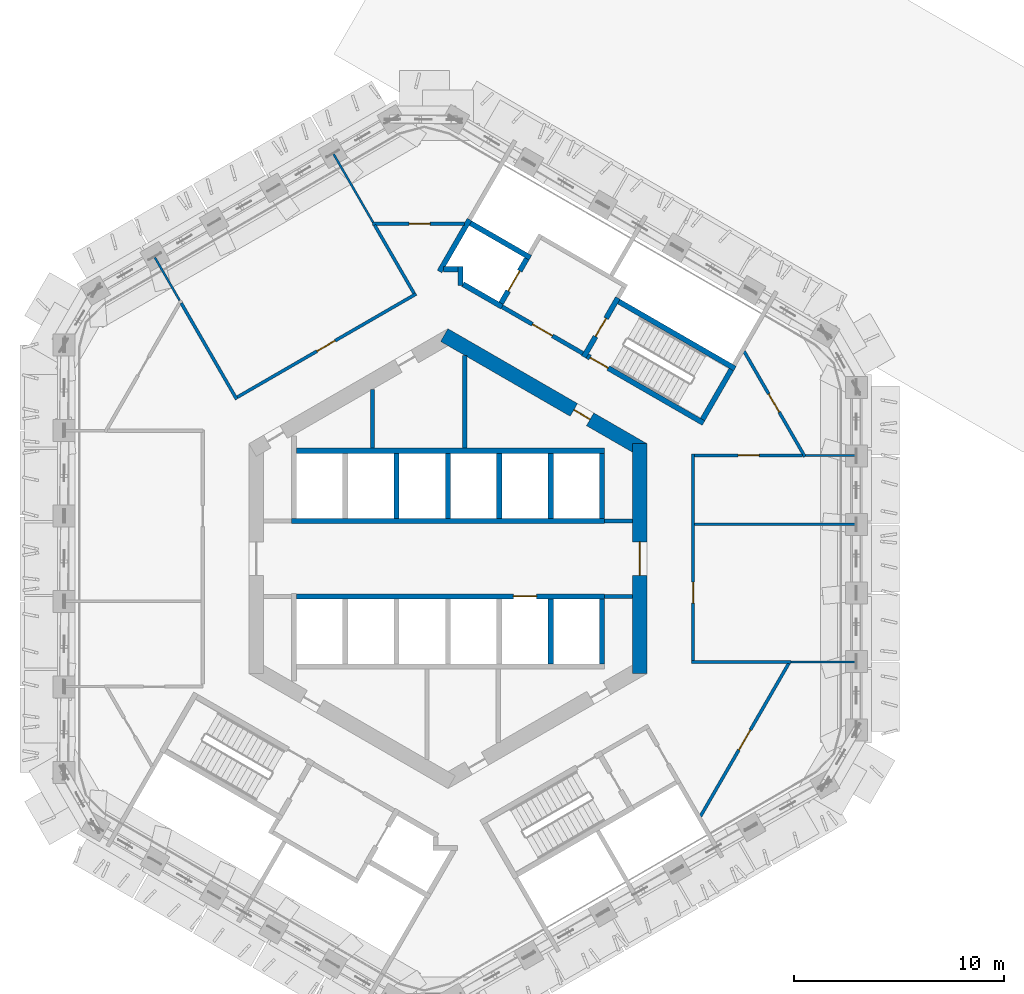
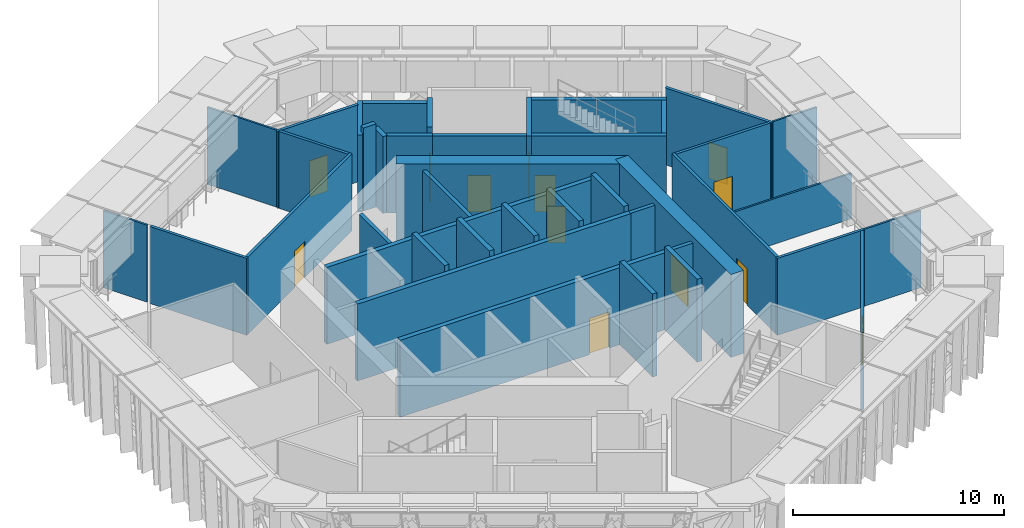
# One storey, part 8 of 18: 41 walls, 13 doors, 13 openings.
"""IFC4 building model written with IfcOpenShell, lengths in metres."""

from ifc_helpers import new_model, si_unit, direction, frame, frame_2d, origin, place, context, subcontext, project, spatial, rectangle, extrude, material, layer, layer_set, type_object, element, fill, save


model = new_model("IFC4")

# Units and contexts
model_context = context("Model", 3, precision=1e-05, world=origin(), true_north=direction((0.0, 1.0)))
body_context = subcontext(model_context, "Body", "Model", "MODEL_VIEW")
ifc_project = project(units=[si_unit("LENGTHUNIT", "METRE"), si_unit("AREAUNIT", "SQUARE_METRE"), si_unit("VOLUMEUNIT", "CUBIC_METRE"), si_unit("PLANEANGLEUNIT", "RADIAN"), si_unit("MASSUNIT", "GRAM", prefix="KILO")], contexts=[model_context])

# Site, building, storey
site_placement = place(None, origin())
site = spatial("IfcSite", under=ifc_project, at=site_placement, CompositionType="ELEMENT")
building_placement = place(site_placement, origin())
building = spatial("IfcBuilding", under=site, at=building_placement, Name="Ayvan Gate Tower", CompositionType="ELEMENT")
storey_placement = place(building_placement, frame((0.0, 0.0, 147.89990234375)))
storey = spatial("IfcBuildingStorey", under=building, at=storey_placement, Name="L39", CompositionType="ELEMENT", Elevation=147.89990234375)

# Wall, opening, door
ifc_material_1 = material(Name="Concrete C70/85", Category="concrete")
ifc_layer_1 = layer(ifc_material_1, 0.699951171875)
ifc_layer_set_1 = layer_set([ifc_layer_1], Name="Concrete C70/85")
wall_type_1 = type_object("IfcWallType", Name="Core wall 700 C70/85", PredefinedType="SHEAR", material=ifc_layer_set_1)
wall_1_placement = place(storey_placement, frame((9.14990234375, -5.48486328125, 0.0), z_axis=(0.0, 0.0, 1.0), x_axis=(0.0, 1.0, 0.0)))
wall_1 = element("IfcWall", 1, at=wall_1_placement, inside=storey, type_object=wall_type_1, Name="CORE-L39-0", PredefinedType="SHEAR", context=body_context, shape_type="SweptSolid", body=[
    extrude(rectangle(XDim=10.9697265625, YDim=0.699951171875, at=frame_2d((5.48486328125, 0.0))), origin(), (0.0, 0.0, 1.0), 4.800048828125),
])
opening_1_placement = place(wall_1_placement, frame((4.684814453125, 0.0, 0.0)))
opening_1 = element("IfcOpeningElement", 2, at=opening_1_placement, cuts=wall_1, Name="Opening L39-D29", PredefinedType="OPENING", context=body_context, shape_type="SweptSolid", body=[
    extrude(rectangle(XDim=1.60009765625, YDim=2.10009765625, at=frame_2d((0.800048828125, 1.050048828125))), frame((0.0, 0.35986328125, 0.0), z_axis=(0.0, -1.0, 0.0), x_axis=(1.0, 0.0, 0.0)), (0.0, 0.0, 1.0), 0.719970703125),
])
ifc_material_2 = material(Name="Timber door leaf", Category="wood")
door_type_1 = type_object("IfcDoorType", Name="DT-1600", OperationType="NOTDEFINED", PredefinedType="DOOR", material=ifc_material_2)
door_1_placement = place(opening_1_placement, origin())
door_1 = element("IfcDoor", 3, at=door_1_placement, inside=storey, type_object=door_type_1, Name="CD-L39-29", OperationType="SINGLE_SWING_RIGHT", OverallHeight=2.10009765625, OverallWidth=1.60009765625, PredefinedType="DOOR", context=body_context, shape_type="SweptSolid", body=[
    extrude(rectangle(XDim=1.60009765625, YDim=2.10009765625, at=frame_2d((0.800048828125, 1.050048828125))), frame((0.0, 0.02490234375, 0.0), z_axis=(0.0, -1.0, 0.0), x_axis=(1.0, 0.0, 0.0)), (0.0, 0.0, 1.0), 0.050048828125),
])
fill(opening_1, door_1)

wall_2_placement = place(storey_placement, frame((9.324951171875, 5.181640625, 0.0), z_axis=(0.0, 0.0, 1.0), x_axis=(-0.866023993627, 0.500002442456, 0.0)))
wall_2 = element("IfcWall", 4, at=wall_2_placement, inside=storey, type_object=wall_type_1, Name="CORE-L39-1", PredefinedType="SHEAR", context=body_context, shape_type="SweptSolid", body=[
    extrude(rectangle(XDim=10.9697265625, YDim=0.699951171875, at=frame_2d((5.48486328125, 0.0))), origin(), (0.0, 0.0, 1.0), 4.800048828125),
])
opening_2_placement = place(wall_2_placement, frame((2.9326171875, 0.0, 0.0)))
opening_2 = element("IfcOpeningElement", 5, at=opening_2_placement, cuts=wall_2, Name="Opening L39-D25", PredefinedType="OPENING", context=body_context, shape_type="SweptSolid", body=[
    extrude(rectangle(XDim=0.89990234375, YDim=2.10009765625, at=frame_2d((0.449951171875, 1.050048828125))), frame((0.0, 0.35986328125, 0.0), z_axis=(0.0, -1.0, 0.0), x_axis=(1.0, 0.0, 0.0)), (0.0, 0.0, 1.0), 0.719970703125),
])
door_type_2 = type_object("IfcDoorType", Name="DT-900", OperationType="NOTDEFINED", PredefinedType="DOOR", material=ifc_material_2)
door_2_placement = place(opening_2_placement, origin())
door_2 = element("IfcDoor", 6, at=door_2_placement, inside=storey, type_object=door_type_2, Name="CD-L39-25", OperationType="SINGLE_SWING_RIGHT", OverallHeight=2.10009765625, OverallWidth=0.89990234375, PredefinedType="DOOR", context=body_context, shape_type="SweptSolid", body=[
    extrude(rectangle(XDim=0.89990234375, YDim=2.10009765625, at=frame_2d((0.449951171875, 1.050048828125))), frame((0.0, 0.02490234375, 0.0), z_axis=(0.0, -1.0, 0.0), x_axis=(1.0, 0.0, 0.0)), (0.0, 0.0, 1.0), 0.050048828125),
])
fill(opening_2, door_2)

# Wall
ifc_material_3 = material(Name="Plasterboard on steel stud", Category="steel")
ifc_layer_2 = layer(ifc_material_3, 0.14990234375)
ifc_layer_set_2 = layer_set([ifc_layer_2], Name="Plasterboard on steel stud")
wall_type_2 = type_object("IfcWallType", Name="WT-CORR-150", PredefinedType="PARTITIONING", material=ifc_layer_set_2)
wall_3_placement = place(storey_placement, frame((-12.727783203125, 12.19091796875, 0.0), z_axis=(0.0, 0.0, 1.0), x_axis=(0.499991120112, -0.86603053053, 0.0)))
element("IfcWall", 7, at=wall_3_placement, inside=storey, type_object=wall_type_2, Name="IW-L39-007", PredefinedType="PARTITIONING", context=body_context, shape_type="SweptSolid", body=[
    extrude(rectangle(XDim=5.29638671875, YDim=0.14990234375, at=frame_2d((2.648193359375, 0.0))), origin(), (0.0, 0.0, 1.0), 4.4501953125),
])

# Wall, opening, door
wall_4_placement = place(storey_placement, frame((-10.052001953125, 7.706298828125, 0.0), z_axis=(0.0, 0.0, 1.0), x_axis=(0.866017665152, 0.500013403465, 0.0)))
wall_4 = element("IfcWall", 8, at=wall_4_placement, inside=storey, type_object=wall_type_2, Name="IW-L39-015", PredefinedType="PARTITIONING", context=body_context, shape_type="SweptSolid", body=[
    extrude(rectangle(XDim=9.854248046875, YDim=0.14990234375, at=frame_2d((4.92724609375, 0.0))), origin(), (0.0, 0.0, 1.0), 4.4501953125),
])
opening_3_placement = place(wall_4_placement, frame((4.3896484375, 0.0, 0.0)))
opening_3 = element("IfcOpeningElement", 9, at=opening_3_placement, cuts=wall_4, Name="Opening L39-D14", PredefinedType="OPENING", context=body_context, shape_type="SweptSolid", body=[
    extrude(rectangle(XDim=1.0, YDim=2.10009765625, at=frame_2d((0.5, 1.050048828125))), frame((0.0, 0.0849609375, 0.0), z_axis=(0.0, -1.0, 0.0), x_axis=(1.0, 0.0, 0.0)), (0.0, 0.0, 1.0), 0.169921875),
])
door_type_3 = type_object("IfcDoorType", Name="DT-1000", OperationType="NOTDEFINED", PredefinedType="DOOR", material=ifc_material_2)
door_3_placement = place(opening_3_placement, origin())
door_3 = element("IfcDoor", 10, at=door_3_placement, inside=storey, type_object=door_type_3, Name="ID-L39-014", OperationType="SINGLE_SWING_LEFT", OverallHeight=2.10009765625, OverallWidth=1.0, PredefinedType="DOOR", context=body_context, shape_type="SweptSolid", body=[
    extrude(rectangle(XDim=1.0, YDim=2.10009765625, at=frame_2d((0.5, 1.050048828125))), frame((0.0, 0.02490234375, 0.0), z_axis=(0.0, -1.0, 0.0), x_axis=(1.0, 0.0, 0.0)), (0.0, 0.0, 1.0), 0.050048828125),
])
fill(opening_3, door_3)

wall_5_placement = place(storey_placement, frame((-3.61328125, 15.98291015625, 0.0), z_axis=(0.0, 0.0, 1.0), x_axis=(1.0, 0.0, 0.0)))
wall_5 = element("IfcWall", 11, at=wall_5_placement, inside=storey, type_object=wall_type_2, Name="IW-L39-035", PredefinedType="PARTITIONING", context=body_context, shape_type="SweptSolid", body=[
    extrude(rectangle(XDim=4.402099609375, YDim=0.14990234375, at=frame_2d((2.201171875, 0.0))), origin(), (0.0, 0.0, 1.0), 4.4501953125),
])
opening_4_placement = place(wall_5_placement, frame((1.755859375, 0.0, 0.0)))
opening_4 = element("IfcOpeningElement", 12, at=opening_4_placement, cuts=wall_5, Name="Opening L39-D18", PredefinedType="OPENING", context=body_context, shape_type="SweptSolid", body=[
    extrude(rectangle(XDim=1.0, YDim=2.10009765625, at=frame_2d((0.5, 1.050048828125))), frame((0.0, 0.0849609375, 0.0), z_axis=(0.0, -1.0, 0.0), x_axis=(1.0, 0.0, 0.0)), (0.0, 0.0, 1.0), 0.169921875),
])
door_4_placement = place(opening_4_placement, origin())
door_4 = element("IfcDoor", 13, at=door_4_placement, inside=storey, type_object=door_type_3, Name="ID-L39-018", OperationType="SINGLE_SWING_LEFT", OverallHeight=2.10009765625, OverallWidth=1.0, PredefinedType="DOOR", context=body_context, shape_type="SweptSolid", body=[
    extrude(rectangle(XDim=1.0, YDim=2.10009765625, at=frame_2d((0.5, 1.050048828125))), frame((0.0, 0.02490234375, 0.0), z_axis=(0.0, -1.0, 0.0), x_axis=(1.0, 0.0, 0.0)), (0.0, 0.0, 1.0), 0.050048828125),
])
fill(opening_4, door_4)

# Walls
wall_6_placement = place(storey_placement, frame((-1.62060546875, 12.660888671875, 0.0), z_axis=(0.0, 0.0, 1.0), x_axis=(-0.49997906747, 0.866037488849, 0.0)))
element("IfcWall", 14, at=wall_6_placement, inside=storey, type_object=wall_type_2, Name="IW-L39-040", PredefinedType="PARTITIONING", context=body_context, shape_type="SweptSolid", body=[
    extrude(rectangle(XDim=3.760986328125, YDim=0.14990234375, at=frame_2d((1.88037109375, 0.0))), origin(), (0.0, 0.0, 1.0), 4.4501953125),
])
wall_7_placement = place(storey_placement, frame((11.625, -4.927001953125, 0.0), z_axis=(0.0, 0.0, 1.0), x_axis=(1.0, 0.0, 0.0)))
element("IfcWall", 15, at=wall_7_placement, inside=storey, type_object=wall_type_2, Name="IW-L39-083", PredefinedType="PARTITIONING", context=body_context, shape_type="SweptSolid", body=[
    extrude(rectangle(XDim=4.753662109375, YDim=0.14990234375, at=frame_2d((2.376953125, 0.0))), origin(), (0.0, 0.0, 1.0), 4.4501953125),
])

# Wall, opening, door
wall_8_placement = place(storey_placement, frame((11.699951171875, -4.85205078125, 0.0), z_axis=(0.0, 0.0, 1.0), x_axis=(0.0, 1.0, 0.0)))
wall_8 = element("IfcWall", 16, at=wall_8_placement, inside=storey, type_object=wall_type_2, Name="IW-L39-085", PredefinedType="PARTITIONING", context=body_context, shape_type="SweptSolid", body=[
    extrude(rectangle(XDim=9.854248046875, YDim=0.14990234375, at=frame_2d((4.92724609375, 0.0))), origin(), (0.0, 0.0, 1.0), 4.4501953125),
])
opening_5_placement = place(wall_8_placement, frame((2.732421875, 0.0, 0.0)))
opening_5 = element("IfcOpeningElement", 17, at=opening_5_placement, cuts=wall_8, Name="Opening L39-D15", PredefinedType="OPENING", context=body_context, shape_type="SweptSolid", body=[
    extrude(rectangle(XDim=1.0, YDim=2.10009765625, at=frame_2d((0.5, 1.050048828125))), frame((0.0, 0.0849609375, 0.0), z_axis=(0.0, -1.0, 0.0), x_axis=(1.0, 0.0, 0.0)), (0.0, 0.0, 1.0), 0.169921875),
])
door_5_placement = place(opening_5_placement, origin())
door_5 = element("IfcDoor", 18, at=door_5_placement, inside=storey, type_object=door_type_3, Name="ID-L39-015", OperationType="SINGLE_SWING_RIGHT", OverallHeight=2.10009765625, OverallWidth=1.0, PredefinedType="DOOR", context=body_context, shape_type="SweptSolid", body=[
    extrude(rectangle(XDim=1.0, YDim=2.10009765625, at=frame_2d((0.5, 1.050048828125))), frame((0.0, 0.02490234375, 0.0), z_axis=(0.0, -1.0, 0.0), x_axis=(1.0, 0.0, 0.0)), (0.0, 0.0, 1.0), 0.050048828125),
])
fill(opening_5, door_5)

wall_9_placement = place(storey_placement, frame((14.12744140625, 9.896240234375, 0.0), z_axis=(0.0, 0.0, 1.0), x_axis=(0.500019366424, -0.866014222285, 0.0)))
wall_9 = element("IfcWall", 19, at=wall_9_placement, inside=storey, type_object=wall_type_2, Name="IW-L39-088", PredefinedType="PARTITIONING", context=body_context, shape_type="SweptSolid", body=[
    extrude(rectangle(XDim=5.812744140625, YDim=0.14990234375, at=frame_2d((2.90625, 0.0))), origin(), (0.0, 0.0, 1.0), 4.4501953125),
])
opening_6_placement = place(wall_9_placement, frame((2.3515625, 0.0, 0.0)))
opening_6 = element("IfcOpeningElement", 20, at=opening_6_placement, cuts=wall_9, Name="Opening L39-D17", PredefinedType="OPENING", context=body_context, shape_type="SweptSolid", body=[
    extrude(rectangle(XDim=1.0, YDim=2.10009765625, at=frame_2d((0.5, 1.050048828125))), frame((0.0, 0.0849609375, 0.0), z_axis=(0.0, -1.0, 0.0), x_axis=(1.0, 0.0, 0.0)), (0.0, 0.0, 1.0), 0.169921875),
])
door_6_placement = place(opening_6_placement, origin())
door_6 = element("IfcDoor", 21, at=door_6_placement, inside=storey, type_object=door_type_3, Name="ID-L39-017", OperationType="SINGLE_SWING_RIGHT", OverallHeight=2.10009765625, OverallWidth=1.0, PredefinedType="DOOR", context=body_context, shape_type="SweptSolid", body=[
    extrude(rectangle(XDim=1.0, YDim=2.10009765625, at=frame_2d((0.5, 1.050048828125))), frame((0.0, 0.02490234375, 0.0), z_axis=(0.0, -1.0, 0.0), x_axis=(1.0, 0.0, 0.0)), (0.0, 0.0, 1.0), 0.050048828125),
])
fill(opening_6, door_6)

wall_10_placement = place(storey_placement, frame((16.26611328125, -4.9921875, 0.0), z_axis=(0.0, 0.0, 1.0), x_axis=(-0.499996410164, -0.866027476367, 0.0)))
wall_10 = element("IfcWall", 22, at=wall_10_placement, inside=storey, type_object=wall_type_2, Name="IW-L39-090", PredefinedType="PARTITIONING", context=body_context, shape_type="SweptSolid", body=[
    extrude(rectangle(XDim=8.43408203125, YDim=0.14990234375, at=frame_2d((4.217041015625, 0.0))), origin(), (0.0, 0.0, 1.0), 4.4501953125),
])
opening_7_placement = place(wall_10_placement, frame((3.6669921875, 0.0, 0.0)))
opening_7 = element("IfcOpeningElement", 23, at=opening_7_placement, cuts=wall_10, Name="Opening L39-D13", PredefinedType="OPENING", context=body_context, shape_type="SweptSolid", body=[
    extrude(rectangle(XDim=1.10009765625, YDim=2.10009765625, at=frame_2d((0.550048828125, 1.050048828125))), frame((0.0, 0.0849609375, 0.0), z_axis=(0.0, -1.0, 0.0), x_axis=(1.0, 0.0, 0.0)), (0.0, 0.0, 1.0), 0.169921875),
])
door_type_4 = type_object("IfcDoorType", Name="DT-1100", OperationType="NOTDEFINED", PredefinedType="DOOR", material=ifc_material_2)
door_7_placement = place(opening_7_placement, origin())
door_7 = element("IfcDoor", 24, at=door_7_placement, inside=storey, type_object=door_type_4, Name="ID-L39-013", OperationType="SINGLE_SWING_RIGHT", OverallHeight=2.10009765625, OverallWidth=1.10009765625, PredefinedType="DOOR", context=body_context, shape_type="SweptSolid", body=[
    extrude(rectangle(XDim=1.10009765625, YDim=2.10009765625, at=frame_2d((0.550048828125, 1.050048828125))), frame((0.0, 0.02490234375, 0.0), z_axis=(0.0, -1.0, 0.0), x_axis=(1.0, 0.0, 0.0)), (0.0, 0.0, 1.0), 0.050048828125),
])
fill(opening_7, door_7)

wall_11_placement = place(storey_placement, frame((16.92138671875, 4.927001953125, 0.0), z_axis=(0.0, 0.0, 1.0), x_axis=(-1.0, 0.0, 0.0)))
wall_11 = element("IfcWall", 25, at=wall_11_placement, inside=storey, type_object=wall_type_2, Name="IW-L39-093", PredefinedType="PARTITIONING", context=body_context, shape_type="SweptSolid", body=[
    extrude(rectangle(XDim=5.146484375, YDim=0.14990234375, at=frame_2d((2.5732421875, 0.0))), origin(), (0.0, 0.0, 1.0), 4.4501953125),
])
opening_8_placement = place(wall_11_placement, frame((2.0732421875, 0.0, 0.0)))
opening_8 = element("IfcOpeningElement", 26, at=opening_8_placement, cuts=wall_11, Name="Opening L39-D16", PredefinedType="OPENING", context=body_context, shape_type="SweptSolid", body=[
    extrude(rectangle(XDim=1.0, YDim=2.10009765625, at=frame_2d((0.5, 1.050048828125))), frame((0.0, 0.0849609375, 0.0), z_axis=(0.0, -1.0, 0.0), x_axis=(1.0, 0.0, 0.0)), (0.0, 0.0, 1.0), 0.169921875),
])
door_8_placement = place(opening_8_placement, origin())
door_8 = element("IfcDoor", 27, at=door_8_placement, inside=storey, type_object=door_type_3, Name="ID-L39-016", OperationType="SINGLE_SWING_LEFT", OverallHeight=2.10009765625, OverallWidth=1.0, PredefinedType="DOOR", context=body_context, shape_type="SweptSolid", body=[
    extrude(rectangle(XDim=1.0, YDim=2.10009765625, at=frame_2d((0.5, 1.050048828125))), frame((0.0, 0.02490234375, 0.0), z_axis=(0.0, -1.0, 0.0), x_axis=(1.0, 0.0, 0.0)), (0.0, 0.0, 1.0), 0.050048828125),
])
fill(opening_8, door_8)

# Walls
ifc_layer_3 = layer(ifc_material_3, 0.10009765625)
ifc_layer_set_3 = layer_set([ifc_layer_3], Name="Plasterboard on steel stud")
wall_type_3 = type_object("IfcWallType", Name="WT-PART-100", PredefinedType="PARTITIONING", material=ifc_layer_set_3)
wall_12_placement = place(storey_placement, frame((-12.802734375, 12.320556640625, 0.0), z_axis=(0.0, 0.0, 1.0), x_axis=(-0.499967560512, 0.866044131922, 0.0)))
element("IfcWall", 28, at=wall_12_placement, inside=storey, type_object=wall_type_3, Name="IW-L39-008", PredefinedType="PARTITIONING", context=body_context, shape_type="SweptSolid", body=[
    extrude(rectangle(XDim=2.414306640625, YDim=0.10009765625, at=frame_2d((1.20703125, 0.0))), origin(), (0.0, 0.0, 1.0), 4.4501953125),
])
wall_13_placement = place(storey_placement, frame((-5.475830078125, 19.338623046875, 0.0), z_axis=(0.0, 0.0, 1.0), x_axis=(0.500015340139, -0.86601654697, 0.0)))
element("IfcWall", 29, at=wall_13_placement, inside=storey, type_object=wall_type_3, Name="IW-L39-028", PredefinedType="PARTITIONING", context=body_context, shape_type="SweptSolid", body=[
    extrude(rectangle(XDim=3.80029296875, YDim=0.10009765625, at=frame_2d((1.900146484375, 0.0))), origin(), (0.0, 0.0, 1.0), 4.4501953125),
])
wall_14_placement = place(storey_placement, frame((11.77490234375, 1.642333984375, 0.0), z_axis=(0.0, 0.0, 1.0), x_axis=(1.0, 0.0, 0.0)))
element("IfcWall", 30, at=wall_14_placement, inside=storey, type_object=wall_type_3, Name="IW-L39-084", PredefinedType="PARTITIONING", context=body_context, shape_type="SweptSolid", body=[
    extrude(rectangle(XDim=7.710693359375, YDim=0.10009765625, at=frame_2d((3.85546875, 0.0))), origin(), (0.0, 0.0, 1.0), 2.625),
])
wall_15_placement = place(storey_placement, frame((16.378662109375, -4.927001953125, 0.0), z_axis=(0.0, 0.0, 1.0), x_axis=(1.0, 0.0, 0.0)))
element("IfcWall", 31, at=wall_15_placement, inside=storey, type_object=wall_type_3, Name="IW-L39-091", PredefinedType="PARTITIONING", context=body_context, shape_type="SweptSolid", body=[
    extrude(rectangle(XDim=3.10693359375, YDim=0.10009765625, at=frame_2d((1.553466796875, 0.0))), origin(), (0.0, 0.0, 1.0), 4.4501953125),
])
wall_16_placement = place(storey_placement, frame((17.0712890625, 4.927001953125, 0.0), z_axis=(0.0, 0.0, 1.0), x_axis=(1.0, 0.0, 0.0)))
element("IfcWall", 32, at=wall_16_placement, inside=storey, type_object=wall_type_3, Name="IW-L39-092", PredefinedType="PARTITIONING", context=body_context, shape_type="SweptSolid", body=[
    extrude(rectangle(XDim=2.414306640625, YDim=0.10009765625, at=frame_2d((1.20703125, 0.0))), origin(), (0.0, 0.0, 1.0), 4.4501953125),
])
ifc_layer_4 = layer(ifc_material_3, 0.199951171875)
ifc_layer_set_4 = layer_set([ifc_layer_4], Name="Plasterboard on steel stud")
wall_type_4 = type_object("IfcWallType", Name="WT-RATED-200", PredefinedType="PARTITIONING", material=ifc_layer_set_4)
wall_17_placement = place(storey_placement, frame((-3.60009765625, 8.0830078125, 0.0), z_axis=(0.0, 0.0, 1.0), x_axis=(0.0, -1.0, 0.0)))
element("IfcWall", 33, at=wall_17_placement, inside=storey, type_object=wall_type_4, Name="IW-L39-034", PredefinedType="PARTITIONING", context=body_context, shape_type="SweptSolid", body=[
    extrude(rectangle(XDim=2.80810546875, YDim=0.199951171875, at=frame_2d((1.404052734375, 0.0))), origin(), (0.0, 0.0, 1.0), 4.4501953125),
])
wall_18_placement = place(storey_placement, frame((0.800048828125, 9.699462890625, 0.0), z_axis=(0.0, 0.0, 1.0), x_axis=(0.0, -1.0, 0.0)))
element("IfcWall", 34, at=wall_18_placement, inside=storey, type_object=wall_type_4, Name="IW-L39-052", PredefinedType="PARTITIONING", context=body_context, shape_type="SweptSolid", body=[
    extrude(rectangle(XDim=4.424560546875, YDim=0.199951171875, at=frame_2d((2.21240234375, 0.0))), origin(), (0.0, 0.0, 1.0), 4.4501953125),
])

# Wall, opening, door
wall_19_placement = place(storey_placement, frame((6.4345703125, 9.794921875, 0.0), z_axis=(0.0, 0.0, 1.0), x_axis=(-0.866012907634, 0.500021643343, 0.0)))
wall_19 = element("IfcWall", 35, at=wall_19_placement, inside=storey, type_object=wall_type_4, Name="IW-L39-067", PredefinedType="PARTITIONING", context=body_context, shape_type="SweptSolid", body=[
    extrude(rectangle(XDim=4.449951171875, YDim=0.199951171875, at=frame_2d((2.22509765625, 0.0))), origin(), (0.0, 0.0, 1.0), 4.4501953125),
])
opening_9_placement = place(wall_19_placement, frame((1.675048828125, 0.0, 0.0)))
opening_9 = element("IfcOpeningElement", 36, at=opening_9_placement, cuts=wall_19, Name="Opening L39-D04", PredefinedType="OPENING", context=body_context, shape_type="SweptSolid", body=[
    extrude(rectangle(XDim=1.10009765625, YDim=2.10009765625, at=frame_2d((0.550048828125, 1.050048828125))), frame((0.0, 0.10986328125, 0.0), z_axis=(0.0, -1.0, 0.0), x_axis=(1.0, 0.0, 0.0)), (0.0, 0.0, 1.0), 0.219970703125),
])
door_9_placement = place(opening_9_placement, origin())
door_9 = element("IfcDoor", 37, at=door_9_placement, inside=storey, type_object=door_type_4, Name="ID-L39-004", OperationType="SINGLE_SWING_LEFT", OverallHeight=2.10009765625, OverallWidth=1.10009765625, PredefinedType="DOOR", context=body_context, shape_type="SweptSolid", body=[
    extrude(rectangle(XDim=1.10009765625, YDim=2.10009765625, at=frame_2d((0.550048828125, 1.050048828125))), frame((0.0, 0.02490234375, 0.0), z_axis=(0.0, -1.0, 0.0), x_axis=(1.0, 0.0, 0.0)), (0.0, 0.0, 1.0), 0.050048828125),
])
fill(opening_9, door_9)

# Walls
for number, where, z_axis, x_axis, name in (
    (38, (7.474853515625, 1.800048828125, 0.0), (0.0, 0.0, 1.0), (1.0, 0.0, 0.0), "IW-L39-073"),
    (39, (8.800048828125, -1.800048828125, 0.0), (0.0, 0.0, 1.0), (-1.0, 0.0, 0.0), "IW-L39-079"),
):
    element("IfcWall", number, at=place(storey_placement, frame(where, z_axis=z_axis, x_axis=x_axis)), inside=storey, type_object=wall_type_4, Name=name, PredefinedType="PARTITIONING", context=body_context, shape_type="SweptSolid", body=[
        extrude(rectangle(XDim=1.3251953125, YDim=0.199951171875, at=frame_2d((0.66259765625, 0.0))), origin(), (0.0, 0.0, 1.0), 4.4501953125),
    ])
ifc_material_4 = material(Name="Concrete C50/60", Category="concrete")
ifc_layer_5 = layer(ifc_material_4, 0.25)
ifc_layer_set_5 = layer_set([ifc_layer_5], Name="Concrete C50/60")
wall_type_5 = type_object("IfcWallType", Name="WT-RC-250", PredefinedType="SHEAR", material=ifc_layer_set_5)
wall_20_placement = place(storey_placement, frame((-7.47509765625, 1.800048828125, 0.0), z_axis=(0.0, 0.0, 1.0), x_axis=(1.0, 0.0, 0.0)))
element("IfcWall", 40, at=wall_20_placement, inside=storey, type_object=wall_type_5, Name="IW-L39-021", PredefinedType="SHEAR", context=body_context, shape_type="SweptSolid", body=[
    extrude(rectangle(XDim=14.9501953125, YDim=0.25, at=frame_2d((7.47509765625, 0.0))), origin(), (0.0, 0.0, 1.0), 4.4501953125),
])
wall_21_placement = place(storey_placement, frame((-7.22509765625, 5.14990234375, 0.0), z_axis=(0.0, 0.0, 1.0), x_axis=(1.0, 0.0, 0.0)))
element("IfcWall", 41, at=wall_21_placement, inside=storey, type_object=wall_type_5, Name="IW-L39-024", PredefinedType="SHEAR", context=body_context, shape_type="SweptSolid", body=[
    extrude(rectangle(XDim=14.7001953125, YDim=0.25, at=frame_2d((7.35009765625, 0.0))), origin(), (0.0, 0.0, 1.0), 4.4501953125),
])

# Wall, opening, door
wall_22_placement = place(storey_placement, frame((-7.22509765625, -1.800048828125, 0.0), z_axis=(0.0, 0.0, 1.0), x_axis=(1.0, 0.0, 0.0)))
wall_22 = element("IfcWall", 42, at=wall_22_placement, inside=storey, type_object=wall_type_5, Name="IW-L39-032", PredefinedType="SHEAR", context=body_context, shape_type="SweptSolid", body=[
    extrude(rectangle(XDim=14.7001953125, YDim=0.25, at=frame_2d((7.35009765625, 0.0))), origin(), (0.0, 0.0, 1.0), 4.4501953125),
])
opening_10_placement = place(wall_22_placement, frame((10.35009765625, 0.0, 0.0)))
opening_10 = element("IfcOpeningElement", 43, at=opening_10_placement, cuts=wall_22, Name="Opening L39-LD-SV", PredefinedType="OPENING", context=body_context, shape_type="SweptSolid", body=[
    extrude(rectangle(XDim=1.10009765625, YDim=2.10009765625, at=frame_2d((0.550048828125, 1.050048828125))), frame((0.0, 0.135009765625, 0.0), z_axis=(0.0, -1.0, 0.0), x_axis=(1.0, 0.0, 0.0)), (0.0, 0.0, 1.0), 0.27001953125),
])
ifc_material_5 = material(Name="Stainless steel landing door", Category="steel")
door_type_5 = type_object("IfcDoorType", Name="DT-LANDING-1100", OperationType="SLIDING_TO_LEFT", PredefinedType="DOOR", material=ifc_material_5)
door_10_placement = place(opening_10_placement, origin())
door_10 = element("IfcDoor", 44, at=door_10_placement, inside=storey, type_object=door_type_5, Name="ID-L39-001", OperationType="SLIDING_TO_LEFT", OverallHeight=2.10009765625, OverallWidth=1.10009765625, PredefinedType="DOOR", context=body_context, shape_type="SweptSolid", body=[
    extrude(rectangle(XDim=1.10009765625, YDim=2.10009765625, at=frame_2d((0.550048828125, 1.050048828125))), frame((0.0, 0.02490234375, 0.0), z_axis=(0.0, -1.0, 0.0), x_axis=(1.0, 0.0, 0.0)), (0.0, 0.0, 1.0), 0.050048828125),
])
fill(opening_10, door_10)

# Walls
wall_23_placement = place(storey_placement, frame((-2.449951171875, 5.02490234375, 0.0), z_axis=(0.0, 0.0, 1.0), x_axis=(0.0, -1.0, 0.0)))
element("IfcWall", 45, at=wall_23_placement, inside=storey, type_object=wall_type_5, Name="IW-L39-039", PredefinedType="SHEAR", context=body_context, shape_type="SweptSolid", body=[
    extrude(rectangle(XDim=3.099853515625, YDim=0.25, at=frame_2d((1.5498046875, 0.0))), origin(), (0.0, 0.0, 1.0), 4.800048828125),
])
wall_24_placement = place(storey_placement, frame((-0.403076171875, 13.70166015625, 0.0), z_axis=(0.0, 0.0, 1.0), x_axis=(0.499976111731, 0.866039195244, 0.0)))
element("IfcWall", 46, at=wall_24_placement, inside=storey, type_object=wall_type_5, Name="IW-L39-046", PredefinedType="SHEAR", context=body_context, shape_type="SweptSolid", body=[
    extrude(rectangle(XDim=2.860595703125, YDim=0.25, at=frame_2d((1.43017578125, 0.0))), origin(), (0.0, 0.0, 1.0), 4.4501953125),
])
wall_25_placement = place(storey_placement, frame((0.0, 5.02490234375, 0.0), z_axis=(0.0, 0.0, 1.0), x_axis=(0.0, -1.0, 0.0)))
element("IfcWall", 47, at=wall_25_placement, inside=storey, type_object=wall_type_5, Name="IW-L39-048", PredefinedType="SHEAR", context=body_context, shape_type="SweptSolid", body=[
    extrude(rectangle(XDim=3.099853515625, YDim=0.25, at=frame_2d((1.5498046875, 0.0))), origin(), (0.0, 0.0, 1.0), 4.800048828125),
])
wall_26_placement = place(storey_placement, frame((0.60009765625, 13.03857421875, 0.0), z_axis=(0.0, 0.0, 1.0), x_axis=(0.0, 1.0, 0.0)))
element("IfcWall", 48, at=wall_26_placement, inside=storey, type_object=wall_type_5, Name="IW-L39-050", PredefinedType="SHEAR", context=body_context, shape_type="SweptSolid", body=[
    extrude(rectangle(XDim=0.896484375, YDim=0.25, at=frame_2d((0.4482421875, 0.0))), origin(), (0.0, 0.0, 1.0), 4.4501953125),
])
wall_27_placement = place(storey_placement, frame((0.47509765625, 13.81005859375, 0.0), z_axis=(0.0, 0.0, 1.0), x_axis=(-1.0, 0.0, 0.0)))
element("IfcWall", 49, at=wall_27_placement, inside=storey, type_object=wall_type_5, Name="IW-L39-051", PredefinedType="SHEAR", context=body_context, shape_type="SweptSolid", body=[
    extrude(rectangle(XDim=0.690673828125, YDim=0.25, at=frame_2d((0.34521484375, 0.0))), origin(), (0.0, 0.0, 1.0), 4.800048828125),
])
wall_28_placement = place(storey_placement, frame((1.072998046875, 16.00830078125, 0.0), z_axis=(0.0, 0.0, 1.0), x_axis=(0.866040211805, -0.499974350878, 0.0)))
element("IfcWall", 50, at=wall_28_placement, inside=storey, type_object=wall_type_5, Name="IW-L39-054", PredefinedType="SHEAR", context=body_context, shape_type="SweptSolid", body=[
    extrude(rectangle(XDim=3.300048828125, YDim=0.25, at=frame_2d((1.64990234375, 0.0))), origin(), (0.0, 0.0, 1.0), 4.4501953125),
])
wall_29_placement = place(storey_placement, frame((2.449951171875, 5.02490234375, 0.0), z_axis=(0.0, 0.0, 1.0), x_axis=(0.0, -1.0, 0.0)))
element("IfcWall", 51, at=wall_29_placement, inside=storey, type_object=wall_type_5, Name="IW-L39-058", PredefinedType="SHEAR", context=body_context, shape_type="SweptSolid", body=[
    extrude(rectangle(XDim=3.099853515625, YDim=0.25, at=frame_2d((1.5498046875, 0.0))), origin(), (0.0, 0.0, 1.0), 4.800048828125),
])
wall_30_placement = place(storey_placement, frame((2.580810546875, 12.02001953125, 0.0), z_axis=(0.0, 0.0, 1.0), x_axis=(-0.86603892542, 0.499976579108, 0.0)))
element("IfcWall", 52, at=wall_30_placement, inside=storey, type_object=wall_type_5, Name="IW-L39-059", PredefinedType="SHEAR", context=body_context, shape_type="SweptSolid", body=[
    extrude(rectangle(XDim=2.162109375, YDim=0.25, at=frame_2d((1.0810546875, 0.0))), origin(), (0.0, 0.0, 1.0), 4.4501953125),
])

# Wall, opening, door
wall_31_placement = place(storey_placement, frame((2.534912109375, 12.19091796875, 0.0), z_axis=(0.0, 0.0, 1.0), x_axis=(0.500061746146, 0.865989751695, 0.0)))
wall_31 = element("IfcWall", 53, at=wall_31_placement, inside=storey, type_object=wall_type_5, Name="IW-L39-060", PredefinedType="SHEAR", context=body_context, shape_type="SweptSolid", body=[
    extrude(rectangle(XDim=2.449951171875, YDim=0.25, at=frame_2d((1.22509765625, 0.0))), origin(), (0.0, 0.0, 1.0), 4.800048828125),
])
opening_11_placement = place(wall_31_placement, frame((0.675048828125, 0.0, 0.0)))
opening_11 = element("IfcOpeningElement", 54, at=opening_11_placement, cuts=wall_31, Name="Opening L39-LD-FF1", PredefinedType="OPENING", context=body_context, shape_type="SweptSolid", body=[
    extrude(rectangle(XDim=1.10009765625, YDim=2.10009765625, at=frame_2d((0.550048828125, 1.050048828125))), frame((0.0, 0.135009765625, 0.0), z_axis=(0.0, -1.0, 0.0), x_axis=(1.0, 0.0, 0.0)), (0.0, 0.0, 1.0), 0.27001953125),
])
door_11_placement = place(opening_11_placement, origin())
door_11 = element("IfcDoor", 55, at=door_11_placement, inside=storey, type_object=door_type_5, Name="ID-L39-005", OperationType="SLIDING_TO_LEFT", OverallHeight=2.10009765625, OverallWidth=1.10009765625, PredefinedType="DOOR", context=body_context, shape_type="SweptSolid", body=[
    extrude(rectangle(XDim=1.10009765625, YDim=2.10009765625, at=frame_2d((0.550048828125, 1.050048828125))), frame((0.0, 0.02490234375, 0.0), z_axis=(0.0, -1.0, 0.0), x_axis=(1.0, 0.0, 0.0)), (0.0, 0.0, 1.0), 0.050048828125),
])
fill(opening_11, door_11)

# Walls
for number, where, z_axis, x_axis, name in (
    (56, (4.89990234375, -1.925048828125, 0.0), (0.0, 0.0, 1.0), (0.0, -1.0, 0.0), "IW-L39-064"),
    (57, (4.89990234375, 5.02490234375, 0.0), (0.0, 0.0, 1.0), (0.0, -1.0, 0.0), "IW-L39-065"),
):
    element("IfcWall", number, at=place(storey_placement, frame(where, z_axis=z_axis, x_axis=x_axis)), inside=storey, type_object=wall_type_5, Name=name, PredefinedType="SHEAR", context=body_context, shape_type="SweptSolid", body=[
        extrude(rectangle(XDim=3.099853515625, YDim=0.25, at=frame_2d((1.5498046875, 0.0))), origin(), (0.0, 0.0, 1.0), 4.800048828125),
    ])

# Wall, opening, door
wall_32_placement = place(storey_placement, frame((6.480224609375, 9.624267578125, 0.0), z_axis=(0.0, 0.0, 1.0), x_axis=(0.500017246033, 0.866015446554, 0.0)))
wall_32 = element("IfcWall", 58, at=wall_32_placement, inside=storey, type_object=wall_type_5, Name="IW-L39-068", PredefinedType="SHEAR", context=body_context, shape_type="SweptSolid", body=[
    extrude(rectangle(XDim=3.25, YDim=0.25, at=frame_2d((1.625, 0.0))), origin(), (0.0, 0.0, 1.0), 4.4501953125),
])
opening_12_placement = place(wall_32_placement, frame((1.125, 0.0, 0.0)))
opening_12 = element("IfcOpeningElement", 59, at=opening_12_placement, cuts=wall_32, Name="Opening L39-D03", PredefinedType="OPENING", context=body_context, shape_type="SweptSolid", body=[
    extrude(rectangle(XDim=1.0, YDim=2.10009765625, at=frame_2d((0.5, 1.050048828125))), frame((0.0, 0.135009765625, 0.0), z_axis=(0.0, -1.0, 0.0), x_axis=(1.0, 0.0, 0.0)), (0.0, 0.0, 1.0), 0.27001953125),
])
door_12_placement = place(opening_12_placement, origin())
door_12 = element("IfcDoor", 60, at=door_12_placement, inside=storey, type_object=door_type_3, Name="ID-L39-003", OperationType="SINGLE_SWING_RIGHT", OverallHeight=2.10009765625, OverallWidth=1.0, PredefinedType="DOOR", context=body_context, shape_type="SweptSolid", body=[
    extrude(rectangle(XDim=1.0, YDim=2.10009765625, at=frame_2d((0.5, 1.050048828125))), frame((0.0, 0.02490234375, 0.0), z_axis=(0.0, -1.0, 0.0), x_axis=(1.0, 0.0, 0.0)), (0.0, 0.0, 1.0), 0.050048828125),
])
fill(opening_12, door_12)

# Walls
for number, where, z_axis, x_axis, name in (
    (61, (7.35009765625, -1.925048828125, 0.0), (0.0, 0.0, 1.0), (0.0, -1.0, 0.0), "IW-L39-074"),
    (62, (7.35009765625, 5.02490234375, 0.0), (0.0, 0.0, 1.0), (0.0, -1.0, 0.0), "IW-L39-075"),
):
    element("IfcWall", number, at=place(storey_placement, frame(where, z_axis=z_axis, x_axis=x_axis)), inside=storey, type_object=wall_type_5, Name=name, PredefinedType="SHEAR", context=body_context, shape_type="SweptSolid", body=[
        extrude(rectangle(XDim=3.099853515625, YDim=0.25, at=frame_2d((1.5498046875, 0.0))), origin(), (0.0, 0.0, 1.0), 4.800048828125),
    ])
wall_33_placement = place(storey_placement, frame((8.151123046875, 12.26806640625, 0.0), z_axis=(0.0, 0.0, 1.0), x_axis=(0.866025499775, -0.499999833739, 0.0)))
element("IfcWall", 63, at=wall_33_placement, inside=storey, type_object=wall_type_5, Name="IW-L39-077", PredefinedType="SHEAR", context=body_context, shape_type="SweptSolid", body=[
    extrude(rectangle(XDim=6.39990234375, YDim=0.25, at=frame_2d((3.199951171875, 0.0))), origin(), (0.0, 0.0, 1.0), 4.4501953125),
])

# Wall, opening, door
wall_34_placement = place(storey_placement, frame((12.193603515625, 6.469970703125, 0.0), z_axis=(0.0, 0.0, 1.0), x_axis=(-0.866025499775, 0.499999833739, 0.0)))
wall_34 = element("IfcWall", 64, at=wall_34_placement, inside=storey, type_object=wall_type_5, Name="IW-L39-086", PredefinedType="SHEAR", context=body_context, shape_type="SweptSolid", body=[
    extrude(rectangle(XDim=6.39990234375, YDim=0.25, at=frame_2d((3.199951171875, 0.0))), origin(), (0.0, 0.0, 1.0), 4.4501953125),
])
opening_13_placement = place(wall_34_placement, frame((5.25, 0.0, 0.0)))
opening_13 = element("IfcOpeningElement", 65, at=opening_13_placement, cuts=wall_34, Name="Opening L39-D02", PredefinedType="OPENING", context=body_context, shape_type="SweptSolid", body=[
    extrude(rectangle(XDim=1.0, YDim=2.10009765625, at=frame_2d((0.5, 1.050048828125))), frame((0.0, 0.135009765625, 0.0), z_axis=(0.0, -1.0, 0.0), x_axis=(1.0, 0.0, 0.0)), (0.0, 0.0, 1.0), 0.27001953125),
])
door_13_placement = place(opening_13_placement, origin())
door_13 = element("IfcDoor", 66, at=door_13_placement, inside=storey, type_object=door_type_3, Name="ID-L39-002", OperationType="SINGLE_SWING_LEFT", OverallHeight=2.10009765625, OverallWidth=1.0, PredefinedType="DOOR", context=body_context, shape_type="SweptSolid", body=[
    extrude(rectangle(XDim=1.0, YDim=2.10009765625, at=frame_2d((0.5, 1.050048828125))), frame((0.0, 0.02490234375, 0.0), z_axis=(0.0, -1.0, 0.0), x_axis=(1.0, 0.0, 0.0)), (0.0, 0.0, 1.0), 0.050048828125),
])
fill(opening_13, door_13)

# Wall
wall_35_placement = place(storey_placement, frame((13.52294921875, 9.022216796875, 0.0), z_axis=(0.0, 0.0, 1.0), x_axis=(-0.500034990121, -0.866005201286, 0.0)))
element("IfcWall", 67, at=wall_35_placement, inside=storey, type_object=wall_type_5, Name="IW-L39-087", PredefinedType="SHEAR", context=body_context, shape_type="SweptSolid", body=[
    extrude(rectangle(XDim=2.749755859375, YDim=0.25, at=frame_2d((1.375, 0.0))), origin(), (0.0, 0.0, 1.0), 4.4501953125),
])

save(model, "model.ifc")
